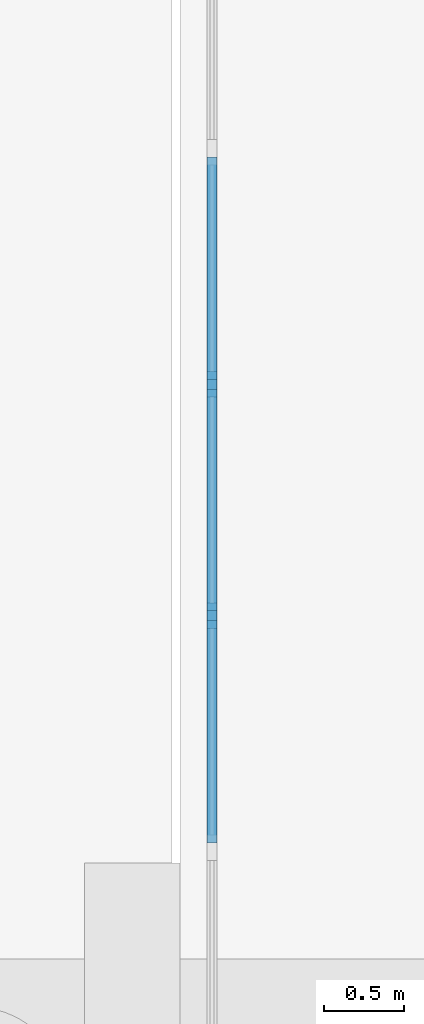
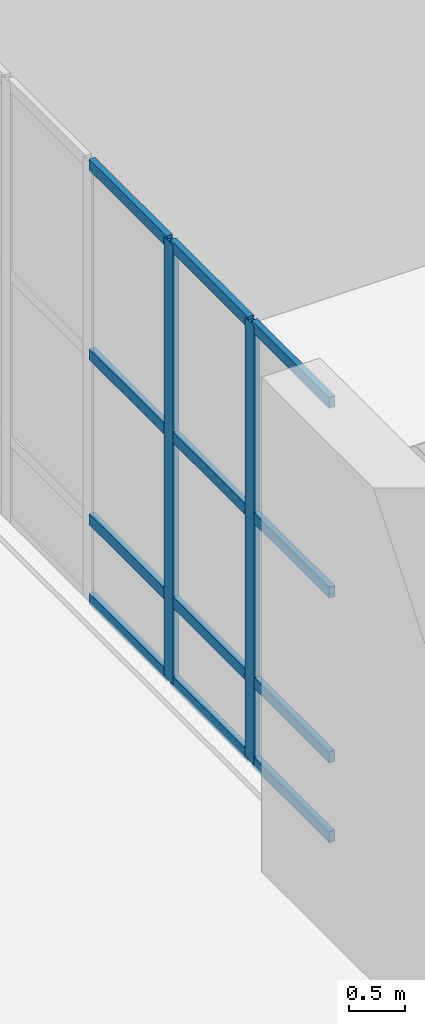
# One storey, part 40 of 168: 14 members, 1 element without a shape of its own.
"""IFC4 building model written with IfcOpenShell, lengths in metres."""

from ifc_helpers import new_model, si_unit, direction, frame, origin, origin_2d, place, context, subcontext, project, spatial, rectangle, extrude, material, layer, layer_set, material_profile, profile_set, type_object, element, aggregate, save


model = new_model("IFC4")

# Units and contexts
model_context = context("Model", 3, precision=1e-05, world=origin(), true_north=direction((0.0, 1.0)))
body_context = subcontext(model_context, "Body", "Model", "MODEL_VIEW")
ifc_project = project(units=[si_unit("LENGTHUNIT", "METRE"), si_unit("AREAUNIT", "SQUARE_METRE"), si_unit("VOLUMEUNIT", "CUBIC_METRE"), si_unit("PLANEANGLEUNIT", "RADIAN"), si_unit("MASSUNIT", "GRAM", prefix="KILO")], contexts=[model_context])

# Site, building, storey
site_placement = place(None, origin())
site = spatial("IfcSite", under=ifc_project, at=site_placement, CompositionType="ELEMENT")
building_placement = place(site_placement, origin())
building = spatial("IfcBuilding", under=site, at=building_placement, Name="Golden Quay Civic Hall", CompositionType="ELEMENT")
storey_placement = place(building_placement, origin())
storey = spatial("IfcBuildingStorey", under=building, at=storey_placement, Name="L00", CompositionType="ELEMENT", Elevation=0.0)

# Curtain wall, members
ifc_material_1 = material(Name="Glass, laminated double glazed", Category="glass")
ifc_layer = layer(ifc_material_1, 0.199951171875)
ifc_layer_set = layer_set([ifc_layer], Name="Glazed core strip curtain wall")
curtain_wall_type = type_object("IfcCurtainWallType", Name="Glazed core strip curtain wall", PredefinedType="NOTDEFINED", material=ifc_layer_set)
curtain_wall_placement = place(storey_placement, origin())
curtain_wall = element("IfcCurtainWall", 1, at=curtain_wall_placement, inside=storey, type_object=curtain_wall_type, Name="Glazed core strip curtain wall L00 5", PredefinedType="NOTDEFINED")
ifc_material_2 = material(Name="Aluminium, anodised", Category="aluminium")
ifc_material_profile_1 = material_profile(ifc_material_2, rectangle(XDim=0.06005859375, YDim=0.159912109375, at=origin_2d()), Name="Aluminium 60 x 160")
ifc_profile_set_1 = profile_set([ifc_material_profile_1], Name="Aluminium, anodised")
member_type_1 = type_object("IfcMemberType", Name="Aluminium mullion 60 x 160", PredefinedType="MULLION", material=ifc_profile_set_1)
member_1_placement = place(storey_placement, frame((54.0, 30.04833984375, 0.0), z_axis=(0.0, 0.0, 1.0), x_axis=(-1.0, 0.0, 0.0)))
member_1 = element("IfcMember", 2, at=member_1_placement, type_object=member_type_1, Name="CW2 mullion 3", PredefinedType="MULLION", context=body_context, shape_type="SweptSolid", body=[
    extrude(rectangle(XDim=0.06005859375, YDim=0.159912109375, at=origin_2d()), origin(), (0.0, 0.0, 1.0), 4.800048828125),
])
member_2_placement = place(storey_placement, frame((54.0, 31.5, 0.0), z_axis=(0.0, 0.0, 1.0), x_axis=(-1.0, 0.0, 0.0)))
member_2 = element("IfcMember", 3, at=member_2_placement, type_object=member_type_1, Name="CW2 mullion 4", PredefinedType="MULLION", context=body_context, shape_type="SweptSolid", body=[
    extrude(rectangle(XDim=0.06005859375, YDim=0.159912109375, at=origin_2d()), origin(), (0.0, 0.0, 1.0), 4.800048828125),
])
ifc_material_3 = material(Name="Aluminium, anodised", Category="aluminium")
ifc_material_profile_2 = material_profile(ifc_material_3, rectangle(XDim=0.06005859375, YDim=0.1201171875, at=origin_2d()), Name="Aluminium 60 x 120")
ifc_profile_set_2 = profile_set([ifc_material_profile_2], Name="Aluminium, anodised")
member_type_2 = type_object("IfcMemberType", Name="Aluminium transom 60 x 120", PredefinedType="USERDEFINED", material=ifc_profile_set_2)
member_3_placement = place(storey_placement, frame((54.0, 28.626708984375, 0.030029296875), z_axis=(0.0, 1.0, 0.0), x_axis=(-1.0, 0.0, 0.0)))
member_3 = element("IfcMember", 4, at=member_3_placement, type_object=member_type_2, Name="CW2 transom 2.1", ObjectType="TRANSOM", PredefinedType="USERDEFINED", context=body_context, shape_type="SweptSolid", body=[
    extrude(rectangle(XDim=0.06005859375, YDim=0.1201171875, at=origin_2d()), origin(), (0.0, 0.0, 1.0), 1.3916015625),
])
member_4_placement = place(storey_placement, frame((54.0, 28.626708984375, 0.89990234375), z_axis=(0.0, 1.0, 0.0), x_axis=(-1.0, 0.0, 0.0)))
member_4 = element("IfcMember", 5, at=member_4_placement, type_object=member_type_2, Name="CW2 transom 2.2", ObjectType="TRANSOM", PredefinedType="USERDEFINED", context=body_context, shape_type="SweptSolid", body=[
    extrude(rectangle(XDim=0.06005859375, YDim=0.1201171875, at=origin_2d()), origin(), (0.0, 0.0, 1.0), 1.3916015625),
])
member_5_placement = place(storey_placement, frame((54.0, 28.626708984375, 2.699951171875), z_axis=(0.0, 1.0, 0.0), x_axis=(-1.0, 0.0, 0.0)))
member_5 = element("IfcMember", 6, at=member_5_placement, type_object=member_type_2, Name="CW2 transom 2.3", ObjectType="TRANSOM", PredefinedType="USERDEFINED", context=body_context, shape_type="SweptSolid", body=[
    extrude(rectangle(XDim=0.06005859375, YDim=0.1201171875, at=origin_2d()), origin(), (0.0, 0.0, 1.0), 1.3916015625),
])
member_6_placement = place(storey_placement, frame((54.0, 28.626708984375, 4.77001953125), z_axis=(0.0, 1.0, 0.0), x_axis=(-1.0, 0.0, 0.0)))
member_6 = element("IfcMember", 7, at=member_6_placement, type_object=member_type_2, Name="CW2 transom 2.4", ObjectType="TRANSOM", PredefinedType="USERDEFINED", context=body_context, shape_type="SweptSolid", body=[
    extrude(rectangle(XDim=0.06005859375, YDim=0.1201171875, at=origin_2d()), origin(), (0.0, 0.0, 1.0), 1.3916015625),
])
member_7_placement = place(storey_placement, frame((54.0, 30.078369140625, 0.030029296875), z_axis=(0.0, 1.0, 0.0), x_axis=(-1.0, 0.0, 0.0)))
member_7 = element("IfcMember", 8, at=member_7_placement, type_object=member_type_2, Name="CW2 transom 3.1", ObjectType="TRANSOM", PredefinedType="USERDEFINED", context=body_context, shape_type="SweptSolid", body=[
    extrude(rectangle(XDim=0.06005859375, YDim=0.1201171875, at=origin_2d()), origin(), (0.0, 0.0, 1.0), 1.3916015625),
])
member_8_placement = place(storey_placement, frame((54.0, 30.078369140625, 0.89990234375), z_axis=(0.0, 1.0, 0.0), x_axis=(-1.0, 0.0, 0.0)))
member_8 = element("IfcMember", 9, at=member_8_placement, type_object=member_type_2, Name="CW2 transom 3.2", ObjectType="TRANSOM", PredefinedType="USERDEFINED", context=body_context, shape_type="SweptSolid", body=[
    extrude(rectangle(XDim=0.06005859375, YDim=0.1201171875, at=origin_2d()), origin(), (0.0, 0.0, 1.0), 1.3916015625),
])
member_9_placement = place(storey_placement, frame((54.0, 30.078369140625, 2.699951171875), z_axis=(0.0, 1.0, 0.0), x_axis=(-1.0, 0.0, 0.0)))
member_9 = element("IfcMember", 10, at=member_9_placement, type_object=member_type_2, Name="CW2 transom 3.3", ObjectType="TRANSOM", PredefinedType="USERDEFINED", context=body_context, shape_type="SweptSolid", body=[
    extrude(rectangle(XDim=0.06005859375, YDim=0.1201171875, at=origin_2d()), origin(), (0.0, 0.0, 1.0), 1.3916015625),
])
member_10_placement = place(storey_placement, frame((54.0, 30.078369140625, 4.77001953125), z_axis=(0.0, 1.0, 0.0), x_axis=(-1.0, 0.0, 0.0)))
member_10 = element("IfcMember", 11, at=member_10_placement, type_object=member_type_2, Name="CW2 transom 3.4", ObjectType="TRANSOM", PredefinedType="USERDEFINED", context=body_context, shape_type="SweptSolid", body=[
    extrude(rectangle(XDim=0.06005859375, YDim=0.1201171875, at=origin_2d()), origin(), (0.0, 0.0, 1.0), 1.3916015625),
])
member_11_placement = place(storey_placement, frame((54.0, 31.530029296875, 0.030029296875), z_axis=(0.0, 1.0, 0.0), x_axis=(-1.0, 0.0, 0.0)))
member_11 = element("IfcMember", 12, at=member_11_placement, type_object=member_type_2, Name="CW2 transom 4.1", ObjectType="TRANSOM", PredefinedType="USERDEFINED", context=body_context, shape_type="SweptSolid", body=[
    extrude(rectangle(XDim=0.06005859375, YDim=0.1201171875, at=origin_2d()), origin(), (0.0, 0.0, 1.0), 1.3916015625),
])
member_12_placement = place(storey_placement, frame((54.0, 31.530029296875, 0.89990234375), z_axis=(0.0, 1.0, 0.0), x_axis=(-1.0, 0.0, 0.0)))
member_12 = element("IfcMember", 13, at=member_12_placement, type_object=member_type_2, Name="CW2 transom 4.2", ObjectType="TRANSOM", PredefinedType="USERDEFINED", context=body_context, shape_type="SweptSolid", body=[
    extrude(rectangle(XDim=0.06005859375, YDim=0.1201171875, at=origin_2d()), origin(), (0.0, 0.0, 1.0), 1.3916015625),
])
member_13_placement = place(storey_placement, frame((54.0, 31.530029296875, 2.699951171875), z_axis=(0.0, 1.0, 0.0), x_axis=(-1.0, 0.0, 0.0)))
member_13 = element("IfcMember", 14, at=member_13_placement, type_object=member_type_2, Name="CW2 transom 4.3", ObjectType="TRANSOM", PredefinedType="USERDEFINED", context=body_context, shape_type="SweptSolid", body=[
    extrude(rectangle(XDim=0.06005859375, YDim=0.1201171875, at=origin_2d()), origin(), (0.0, 0.0, 1.0), 1.3916015625),
])
member_14_placement = place(storey_placement, frame((54.0, 31.530029296875, 4.77001953125), z_axis=(0.0, 1.0, 0.0), x_axis=(-1.0, 0.0, 0.0)))
member_14 = element("IfcMember", 15, at=member_14_placement, type_object=member_type_2, Name="CW2 transom 4.4", ObjectType="TRANSOM", PredefinedType="USERDEFINED", context=body_context, shape_type="SweptSolid", body=[
    extrude(rectangle(XDim=0.06005859375, YDim=0.1201171875, at=origin_2d()), origin(), (0.0, 0.0, 1.0), 1.3916015625),
])
aggregate(curtain_wall, [member_1, member_2, member_3, member_4, member_5, member_6, member_7, member_8, member_9, member_10, member_11, member_12, member_13, member_14])

save(model, "model.ifc")
